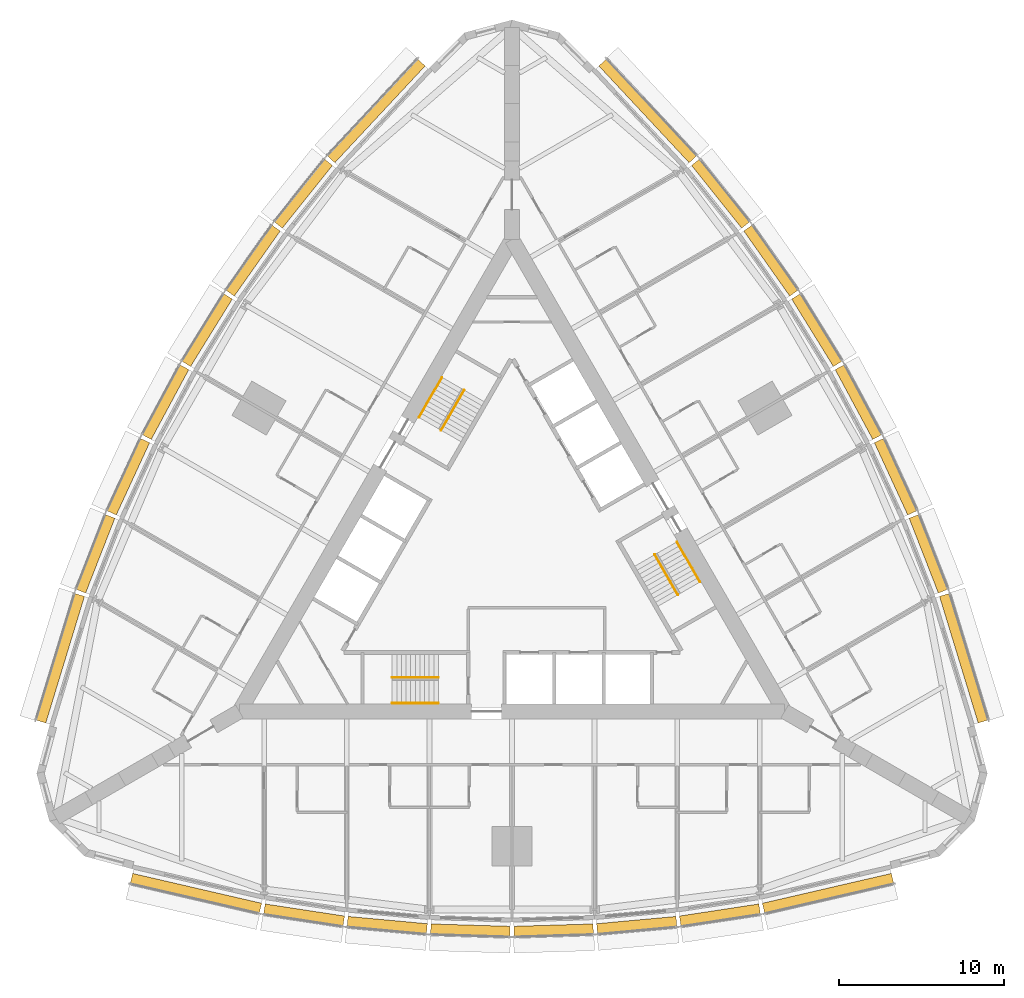
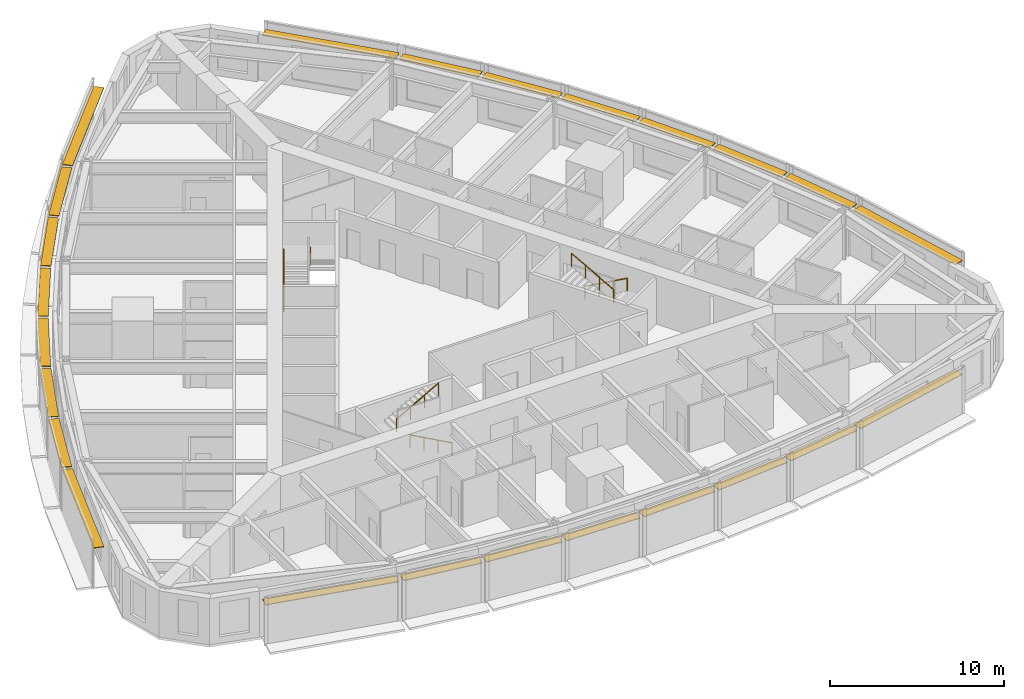
# One storey, part 14 of 14: 24 shading devices, 6 railings.
"""IFC4 building model written with IfcOpenShell, lengths in metres."""

import ifcopenshell
import ifcopenshell.guid

model = None  # the IFC model being written
_history = None  # IfcOwnerHistory: only IFC2X3 demands one
_inside = {}  # id of a spatial element -> (the spatial element, [elements in it])
_under = {}  # id of a project, library or spatial element -> (it, [spatial elements below it])
_declared = {}  # id of a project -> (the project, [libraries it declares])
_typed = {}  # id of a type object -> (the type object, [elements of that type])
_made_of = {}  # id of a material, layer set ... -> (it, [elements and type objects made of it])


def new_model(schema):
    """Start an empty IFC model of exactly this schema.

    Asked for "IFC4X3", IfcOpenShell would pick the latest addendum, in which some entities
    have other attributes; the version numbers below select the first issue.
    IFC2X3 requires an IfcOwnerHistory on every rooted entity: one is made here for all.
    """
    global model, _history
    if schema == "IFC4X3":
        model = ifcopenshell.file(schema_version=(4, 3, 0, 0))
    else:
        model = ifcopenshell.file(schema=schema)
    _inside.clear()
    _under.clear()
    _declared.clear()
    _typed.clear()
    _made_of.clear()
    _history = None
    if model.schema == "IFC2X3":
        org = make("IfcOrganization", Name="unknown")
        user = make(
            "IfcPersonAndOrganization",
            ThePerson=make("IfcPerson", FamilyName="unknown"),
            TheOrganization=org,
        )
        app = make(
            "IfcApplication",
            ApplicationDeveloper=org,
            Version="unknown",
            ApplicationFullName="unknown",
            ApplicationIdentifier="unknown",
        )
        _history = make(
            "IfcOwnerHistory",
            OwningUser=user,
            OwningApplication=app,
            ChangeAction="ADDED",
            CreationDate=0,
        )
    return model


def make(cls, **values):
    """One entity of the class cls with the attributes given. An attribute that is None is left unset."""
    return model.create_entity(
        cls, **{name: value for name, value in values.items() if value is not None}
    )


def rooted(cls, **values):
    """An entity with a GlobalId (a new one), such as an element, a storey or a relation."""
    return make(cls, GlobalId=ifcopenshell.guid.new(), OwnerHistory=_history, **values)


def si_unit(unit_type, name, prefix=None):
    """IfcSIUnit, for example si_unit("LENGTHUNIT", "METRE", prefix="MILLI")."""
    return make("IfcSIUnit", UnitType=unit_type, Prefix=prefix, Name=name)


def assignment(units):
    """IfcUnitAssignment: the units of a project."""
    return None if units is None else make("IfcUnitAssignment", Units=units)


def point(xyz):
    """IfcCartesianPoint."""
    return None if xyz is None else make("IfcCartesianPoint", Coordinates=xyz)


def direction(xyz):
    """IfcDirection."""
    return None if xyz is None else make("IfcDirection", DirectionRatios=xyz)


def frame(location, z_axis=None, x_axis=None):
    """IfcAxis2Placement3D, a coordinate frame: its origin and axes. An axis left out is left unset."""
    return make(
        "IfcAxis2Placement3D",
        Location=point(location),
        Axis=direction(z_axis),
        RefDirection=direction(x_axis),
    )


def frame_2d(location, x_axis=None):
    """IfcAxis2Placement2D, a coordinate frame in the plane: its origin and x axis."""
    return make(
        "IfcAxis2Placement2D", Location=point(location), RefDirection=direction(x_axis)
    )


def origin():
    """The frame at (0, 0, 0) with its axes left unset."""
    return frame((0.0, 0.0, 0.0))


def origin_2d():
    """The frame at (0, 0) in the plane with its x axis left unset."""
    return frame_2d((0.0, 0.0))


def place(relative_to, where):
    """IfcLocalPlacement: puts the frame where relative to a parent placement (None: the world)."""
    return make(
        "IfcLocalPlacement", PlacementRelTo=relative_to, RelativePlacement=where
    )


def context(
    kind, dimensions, precision=None, world=None, true_north=None, identifier=None
):
    """IfcGeometricRepresentationContext, for example the 3D "Model" context."""
    return make(
        "IfcGeometricRepresentationContext",
        ContextIdentifier=identifier,
        ContextType=kind,
        CoordinateSpaceDimension=dimensions,
        Precision=precision,
        WorldCoordinateSystem=world,
        TrueNorth=true_north,
    )


def subcontext(parent, identifier, kind, view, scale=None):
    """IfcGeometricRepresentationSubContext, for example "Body" below "Model"."""
    return make(
        "IfcGeometricRepresentationSubContext",
        ContextIdentifier=identifier,
        ContextType=kind,
        ParentContext=parent,
        TargetScale=scale,
        TargetView=view,
    )


def project(units=None, contexts=None):
    """IfcProject with its units and contexts."""
    return rooted(
        "IfcProject",
        Name="project",
        RepresentationContexts=contexts,
        UnitsInContext=assignment(units),
    )


def spatial(cls, under=None, at=None, **own):
    """A site, building, storey or space (cls), placed at a placement, below another one or the project."""
    s = rooted(cls, ObjectPlacement=at, **own)
    if under is not None:
        _under.setdefault(under.id(), (under, []))[1].append(s)
    return s


def profile(cls, at=None, kind="AREA", **sizes):
    """A parametric profile (cls). Its sizes go by their IFC names, for example OverallWidth=200.0."""
    return make(cls, ProfileType=kind, Position=at, **sizes)


def rectangle(**sizes):
    """IfcRectangleProfileDef."""
    return profile("IfcRectangleProfileDef", **sizes)


def circle(**sizes):
    """IfcCircleProfileDef."""
    return profile("IfcCircleProfileDef", **sizes)


def extrude(swept, where, along, depth):
    """IfcExtrudedAreaSolid: the profile swept, set in the frame where, extruded along a direction by depth."""
    return make(
        "IfcExtrudedAreaSolid",
        SweptArea=swept,
        Position=where,
        ExtrudedDirection=direction(along),
        Depth=depth,
    )


def shape(context_of_items, identifier, shape_type, items):
    """IfcShapeRepresentation: the items that make up one representation, for example the "Body"."""
    return make(
        "IfcShapeRepresentation",
        ContextOfItems=context_of_items,
        RepresentationIdentifier=identifier,
        RepresentationType=shape_type,
        Items=items,
    )


def material(Name=None, Category=None):
    """IfcMaterial."""
    return make("IfcMaterial", Name=Name, Category=Category)


def made_of(thing, what):
    """Note that an element or type object is made of a material, layer set ...; save() writes the relation."""
    if what is not None:
        _made_of.setdefault(what.id(), (what, []))[1].append(thing)
    return thing


def type_object(cls, material=None, **own):
    """A type object (cls), such as IfcWallType, which elements share."""
    return made_of(rooted(cls, **own), material)


def element(
    cls,
    number,
    at=None,
    inside=None,
    cuts=None,
    type_object=None,
    material=None,
    context=None,
    identifier="Body",
    shape_type=None,
    held_by="IfcProductDefinitionShape",
    body=None,
    shapes=None,
    **own,
):
    """One element of the class cls, such as IfcWall. Its Tag is "e" and its number.

    at: its placement. inside: the storey or other place that contains it. cuts: it is an
    opening in that element (IfcRelVoidsElement). A single representation is given by context,
    identifier, shape_type and body (its items); several are given by shapes. held_by: the class
    of the entity that holds the representations. save() writes the other relations.
    """
    e = rooted(cls, Tag="e%d" % number, ObjectPlacement=at, **own)
    if body is not None:
        shapes = [shape(context, identifier, shape_type, body)]
    if shapes is not None:
        e.Representation = make(held_by, Representations=shapes)
    if inside is not None:
        _inside.setdefault(inside.id(), (inside, []))[1].append(e)
    if cuts is not None:
        rooted(
            "IfcRelVoidsElement", RelatingBuildingElement=cuts, RelatedOpeningElement=e
        )
    if type_object is not None:
        _typed.setdefault(type_object.id(), (type_object, []))[1].append(e)
    return made_of(e, material)


def aggregate(whole, parts):
    """IfcRelAggregates: a whole, such as a stair, and the parts it consists of."""
    return rooted("IfcRelAggregates", RelatingObject=whole, RelatedObjects=parts)


def save(model, path):
    """Write the relations noted so far, then the file.

    IfcRelAggregates (storeys below a building ...), IfcRelContainedInSpatialStructure (elements
    in a storey), IfcRelDefinesByType, IfcRelAssociatesMaterial and IfcRelDeclares: one each for
    every whole, place, type object, material and project.
    """
    for whole, parts in _under.values():
        aggregate(whole, parts)
    for where, things in _inside.values():
        rooted(
            "IfcRelContainedInSpatialStructure",
            RelatedElements=things,
            RelatingStructure=where,
        )
    for kind, things in _typed.values():
        rooted("IfcRelDefinesByType", RelatedObjects=things, RelatingType=kind)
    for what, things in _made_of.values():
        rooted("IfcRelAssociatesMaterial", RelatedObjects=things, RelatingMaterial=what)
    for by, libraries in _declared.values():
        rooted("IfcRelDeclares", RelatingContext=by, RelatedDefinitions=libraries)
    model.write(path)


model = new_model("IFC4")

# Units and contexts
model_context = context("Model", 3, precision=1e-05, world=origin(), true_north=direction((0.0, 1.0)))
body_context = subcontext(model_context, "Body", "Model", "MODEL_VIEW")
ifc_project = project(units=[si_unit("LENGTHUNIT", "METRE"), si_unit("AREAUNIT", "SQUARE_METRE"), si_unit("VOLUMEUNIT", "CUBIC_METRE"), si_unit("PLANEANGLEUNIT", "RADIAN"), si_unit("MASSUNIT", "GRAM", prefix="KILO")], contexts=[model_context])

# Site, building, storey
site_placement = place(None, origin())
site = spatial("IfcSite", under=ifc_project, at=site_placement, CompositionType="ELEMENT")
building_placement = place(site_placement, origin())
building = spatial("IfcBuilding", under=site, at=building_placement, Name="Trikona Tower", CompositionType="ELEMENT")
storey_placement = place(building_placement, frame((0.0, 0.0, 35.300048828125)))
storey = spatial("IfcBuildingStorey", under=building, at=storey_placement, Name="L07", CompositionType="ELEMENT", Elevation=35.300048828125)

# Shading devices
ifc_material_1 = material(Name="Aluminium louvre blade, pale anodised", Category="aluminium")
shading_device_type = type_object("IfcShadingDeviceType", Name="Cavity louvre 600", PredefinedType="USERDEFINED", material=ifc_material_1)
shading_device_1_placement = place(storey_placement, frame((-19.126220703125, -20.5234375, 2.77490234375), z_axis=(0.0, 0.0, 1.0), x_axis=(0.974277718622, -0.225350675607, 0.0)))
element("IfcShadingDevice", 1, at=shading_device_1_placement, inside=storey, type_object=shading_device_type, Name="Cavity louvre L07-00", ObjectType="LOUVRE", PredefinedType="USERDEFINED", context=body_context, shape_type="SweptSolid", body=[
    extrude(rectangle(XDim=8.01123046875, YDim=0.60009765625, at=origin_2d()), origin(), (0.0, 0.0, 1.0), 0.050048828125),
])
shading_device_2_placement = place(storey_placement, frame((-12.584228515625, -21.837158203125, 2.77490234375), z_axis=(0.0, 0.0, 1.0), x_axis=(0.988617896768, -0.150448177754, 0.0)))
element("IfcShadingDevice", 2, at=shading_device_2_placement, inside=storey, type_object=shading_device_type, Name="Cavity louvre L07-01", ObjectType="LOUVRE", PredefinedType="USERDEFINED", context=body_context, shape_type="SweptSolid", body=[
    extrude(rectangle(XDim=4.857666015625, YDim=0.60009765625, at=origin_2d()), origin(), (0.0, 0.0, 1.0), 0.050048828125),
])
shading_device_3_placement = place(storey_placement, frame((-7.55078125, -22.44970703125, 2.77490234375), z_axis=(0.0, 0.0, 1.0), x_axis=(0.995858098326, -0.090921108655, 0.0)))
element("IfcShadingDevice", 3, at=shading_device_3_placement, inside=storey, type_object=shading_device_type, Name="Cavity louvre L07-02", ObjectType="LOUVRE", PredefinedType="USERDEFINED", context=body_context, shape_type="SweptSolid", body=[
    extrude(rectangle(XDim=4.82080078125, YDim=0.60009765625, at=origin_2d()), origin(), (0.0, 0.0, 1.0), 0.050048828125),
])
for number, where, z_axis, x_axis, name in (
    (4, (-2.51708984375, -22.756103515625, 2.77490234375), (0.0, 0.0, 1.0), (0.999537048889, -0.030425119525, 0.0), "Cavity louvre L07-03"),
    (5, (2.51708984375, -22.756103515625, 2.77490234375), (0.0, 0.0, 1.0), (0.999537048889, 0.030425119525, 0.0), "Cavity louvre L07-04"),
):
    element("IfcShadingDevice", number, at=place(storey_placement, frame(where, z_axis=z_axis, x_axis=x_axis)), inside=storey, type_object=shading_device_type, Name=name, ObjectType="LOUVRE", PredefinedType="USERDEFINED", context=body_context, shape_type="SweptSolid", body=[
        extrude(rectangle(XDim=4.80224609375, YDim=0.60009765625, at=origin_2d()), origin(), (0.0, 0.0, 1.0), 0.050048828125),
    ])
shading_device_4_placement = place(storey_placement, frame((7.55078125, -22.44970703125, 2.77490234375), z_axis=(0.0, 0.0, 1.0), x_axis=(0.995858098326, 0.090921108655, 0.0)))
element("IfcShadingDevice", 6, at=shading_device_4_placement, inside=storey, type_object=shading_device_type, Name="Cavity louvre L07-05", ObjectType="LOUVRE", PredefinedType="USERDEFINED", context=body_context, shape_type="SweptSolid", body=[
    extrude(rectangle(XDim=4.82080078125, YDim=0.60009765625, at=origin_2d()), origin(), (0.0, 0.0, 1.0), 0.050048828125),
])
shading_device_5_placement = place(storey_placement, frame((12.584228515625, -21.837158203125, 2.77490234375), z_axis=(0.0, 0.0, 1.0), x_axis=(0.988617896768, 0.150448177754, 0.0)))
element("IfcShadingDevice", 7, at=shading_device_5_placement, inside=storey, type_object=shading_device_type, Name="Cavity louvre L07-06", ObjectType="LOUVRE", PredefinedType="USERDEFINED", context=body_context, shape_type="SweptSolid", body=[
    extrude(rectangle(XDim=4.857666015625, YDim=0.60009765625, at=origin_2d()), origin(), (0.0, 0.0, 1.0), 0.050048828125),
])
for number, where, z_axis, x_axis, name in (
    (8, (19.126220703125, -20.5234375, 2.77490234375), (0.0, 0.0, 1.0), (0.974277718622, 0.225350675607, 0.0), "Cavity louvre L07-07"),
    (9, (27.3369140625, -6.302001953125, 2.77490234375), (0.0, 0.0, 1.0), (-0.291979449475, 0.956424592471, 0.0), "Cavity louvre L07-12"),
):
    element("IfcShadingDevice", number, at=place(storey_placement, frame(where, z_axis=z_axis, x_axis=x_axis)), inside=storey, type_object=shading_device_type, Name=name, ObjectType="LOUVRE", PredefinedType="USERDEFINED", context=body_context, shape_type="SweptSolid", body=[
        extrude(rectangle(XDim=8.01123046875, YDim=0.60009765625, at=origin_2d()), origin(), (0.0, 0.0, 1.0), 0.050048828125),
    ])
shading_device_6_placement = place(storey_placement, frame((25.20361328125, 0.020263671875, 2.77490234375), z_axis=(0.0, 0.0, 1.0), x_axis=(-0.364008876551, 0.931395478726, 0.0)))
element("IfcShadingDevice", 10, at=shading_device_6_placement, inside=storey, type_object=shading_device_type, Name="Cavity louvre L07-13", ObjectType="LOUVRE", PredefinedType="USERDEFINED", context=body_context, shape_type="SweptSolid", body=[
    extrude(rectangle(XDim=4.857666015625, YDim=0.60009765625, at=origin_2d()), origin(), (0.0, 0.0, 1.0), 0.050048828125),
])
shading_device_7_placement = place(storey_placement, frame((23.217529296875, 4.685546875, 2.77490234375), z_axis=(0.0, 0.0, 1.0), x_axis=(-0.41919381307, 0.907896771161, 0.0)))
element("IfcShadingDevice", 11, at=shading_device_7_placement, inside=storey, type_object=shading_device_type, Name="Cavity louvre L07-14", ObjectType="LOUVRE", PredefinedType="USERDEFINED", context=body_context, shape_type="SweptSolid", body=[
    extrude(rectangle(XDim=4.82080078125, YDim=0.60009765625, at=origin_2d()), origin(), (0.0, 0.0, 1.0), 0.050048828125),
])
for number, where, z_axis, x_axis, name in (
    (12, (20.966064453125, 9.1982421875, 2.77490234375), (0.0, 0.0, 1.0), (-0.473422672721, 0.880835383572, 0.0), "Cavity louvre L07-15"),
    (13, (18.448974609375, 13.557861328125, 2.77490234375), (0.0, 0.0, 1.0), (-0.526118935114, 0.85041099835, 0.0), "Cavity louvre L07-16"),
):
    element("IfcShadingDevice", number, at=place(storey_placement, frame(where, z_axis=z_axis, x_axis=x_axis)), inside=storey, type_object=shading_device_type, Name=name, ObjectType="LOUVRE", PredefinedType="USERDEFINED", context=body_context, shape_type="SweptSolid", body=[
        extrude(rectangle(XDim=4.80224609375, YDim=0.60009765625, at=origin_2d()), origin(), (0.0, 0.0, 1.0), 0.050048828125),
    ])
shading_device_8_placement = place(storey_placement, frame((15.666748046875, 17.76416015625, 2.77490234375), z_axis=(0.0, 0.0, 1.0), x_axis=(-0.576661909499, 0.816982889743, 0.0)))
element("IfcShadingDevice", 14, at=shading_device_8_placement, inside=storey, type_object=shading_device_type, Name="Cavity louvre L07-17", ObjectType="LOUVRE", PredefinedType="USERDEFINED", context=body_context, shape_type="SweptSolid", body=[
    extrude(rectangle(XDim=4.82080078125, YDim=0.60009765625, at=origin_2d()), origin(), (0.0, 0.0, 1.0), 0.050048828125),
])
shading_device_9_placement = place(storey_placement, frame((12.619384765625, 21.81689453125, 2.77490234375), z_axis=(0.0, 0.0, 1.0), x_axis=(-0.624603618277, 0.780941944087, 0.0)))
element("IfcShadingDevice", 15, at=shading_device_9_placement, inside=storey, type_object=shading_device_type, Name="Cavity louvre L07-18", ObjectType="LOUVRE", PredefinedType="USERDEFINED", context=body_context, shape_type="SweptSolid", body=[
    extrude(rectangle(XDim=4.857666015625, YDim=0.60009765625, at=origin_2d()), origin(), (0.0, 0.0, 1.0), 0.050048828125),
])
for number, where, z_axis, x_axis, name in (
    (16, (8.210693359375, 26.825439453125, 2.77490234375), (0.0, 0.0, 1.0), (-0.682298269147, 0.731073916864, 0.0), "Cavity louvre L07-19"),
    (17, (-8.210693359375, 26.825439453125, 2.77490234375), (0.0, 0.0, 1.0), (-0.682298269147, -0.731073916864, 0.0), "Cavity louvre L07-24"),
):
    element("IfcShadingDevice", number, at=place(storey_placement, frame(where, z_axis=z_axis, x_axis=x_axis)), inside=storey, type_object=shading_device_type, Name=name, ObjectType="LOUVRE", PredefinedType="USERDEFINED", context=body_context, shape_type="SweptSolid", body=[
        extrude(rectangle(XDim=8.01123046875, YDim=0.60009765625, at=origin_2d()), origin(), (0.0, 0.0, 1.0), 0.050048828125),
    ])
shading_device_10_placement = place(storey_placement, frame((-12.619384765625, 21.81689453125, 2.77490234375), z_axis=(0.0, 0.0, 1.0), x_axis=(-0.624603618277, -0.780941944087, 0.0)))
element("IfcShadingDevice", 18, at=shading_device_10_placement, inside=storey, type_object=shading_device_type, Name="Cavity louvre L07-25", ObjectType="LOUVRE", PredefinedType="USERDEFINED", context=body_context, shape_type="SweptSolid", body=[
    extrude(rectangle(XDim=4.857666015625, YDim=0.60009765625, at=origin_2d()), origin(), (0.0, 0.0, 1.0), 0.050048828125),
])
shading_device_11_placement = place(storey_placement, frame((-15.666748046875, 17.76416015625, 2.77490234375), z_axis=(0.0, 0.0, 1.0), x_axis=(-0.576661909499, -0.816982889743, 0.0)))
element("IfcShadingDevice", 19, at=shading_device_11_placement, inside=storey, type_object=shading_device_type, Name="Cavity louvre L07-26", ObjectType="LOUVRE", PredefinedType="USERDEFINED", context=body_context, shape_type="SweptSolid", body=[
    extrude(rectangle(XDim=4.82080078125, YDim=0.60009765625, at=origin_2d()), origin(), (0.0, 0.0, 1.0), 0.050048828125),
])
for number, where, z_axis, x_axis, name in (
    (20, (-18.448974609375, 13.557861328125, 2.77490234375), (0.0, 0.0, 1.0), (-0.526118935114, -0.85041099835, 0.0), "Cavity louvre L07-27"),
    (21, (-20.966064453125, 9.1982421875, 2.77490234375), (0.0, 0.0, 1.0), (-0.473422672721, -0.880835383572, 0.0), "Cavity louvre L07-28"),
):
    element("IfcShadingDevice", number, at=place(storey_placement, frame(where, z_axis=z_axis, x_axis=x_axis)), inside=storey, type_object=shading_device_type, Name=name, ObjectType="LOUVRE", PredefinedType="USERDEFINED", context=body_context, shape_type="SweptSolid", body=[
        extrude(rectangle(XDim=4.80224609375, YDim=0.60009765625, at=origin_2d()), origin(), (0.0, 0.0, 1.0), 0.050048828125),
    ])
shading_device_12_placement = place(storey_placement, frame((-23.217529296875, 4.685546875, 2.77490234375), z_axis=(0.0, 0.0, 1.0), x_axis=(-0.41919381307, -0.907896771161, 0.0)))
element("IfcShadingDevice", 22, at=shading_device_12_placement, inside=storey, type_object=shading_device_type, Name="Cavity louvre L07-29", ObjectType="LOUVRE", PredefinedType="USERDEFINED", context=body_context, shape_type="SweptSolid", body=[
    extrude(rectangle(XDim=4.82080078125, YDim=0.60009765625, at=origin_2d()), origin(), (0.0, 0.0, 1.0), 0.050048828125),
])
shading_device_13_placement = place(storey_placement, frame((-25.20361328125, 0.020263671875, 2.77490234375), z_axis=(0.0, 0.0, 1.0), x_axis=(-0.364008876551, -0.931395478726, 0.0)))
element("IfcShadingDevice", 23, at=shading_device_13_placement, inside=storey, type_object=shading_device_type, Name="Cavity louvre L07-30", ObjectType="LOUVRE", PredefinedType="USERDEFINED", context=body_context, shape_type="SweptSolid", body=[
    extrude(rectangle(XDim=4.857666015625, YDim=0.60009765625, at=origin_2d()), origin(), (0.0, 0.0, 1.0), 0.050048828125),
])
shading_device_14_placement = place(storey_placement, frame((-27.3369140625, -6.302001953125, 2.77490234375), z_axis=(0.0, 0.0, 1.0), x_axis=(-0.291979449475, -0.956424592471, 0.0)))
element("IfcShadingDevice", 24, at=shading_device_14_placement, inside=storey, type_object=shading_device_type, Name="Cavity louvre L07-31", ObjectType="LOUVRE", PredefinedType="USERDEFINED", context=body_context, shape_type="SweptSolid", body=[
    extrude(rectangle(XDim=8.01123046875, YDim=0.60009765625, at=origin_2d()), origin(), (0.0, 0.0, 1.0), 0.050048828125),
])

# Railings
ifc_material_2 = material(Name="Stainless steel handrail", Category="steel")
railing_type = type_object("IfcRailingType", Name="Stair handrail", PredefinedType="HANDRAIL", material=ifc_material_2)
railing_1_placement = place(storey_placement, frame((-4.449951171875, -9.016357421875, 0.154541015625)))
element("IfcRailing", 25, at=railing_1_placement, inside=storey, type_object=railing_type, Name="Stair handrail A L07 1", PredefinedType="HANDRAIL", context=body_context, shape_type="SweptSolid", body=[
    extrude(circle(Radius=0.02392578125, at=origin_2d()), frame((0.0, 0.0, 0.8759765625), z_axis=(-0.875504190374, 0.0, 0.483210526207), x_axis=(0.0, -1.0, 0.0)), (0.0, 0.0, 1.0), 3.1982421875),
    extrude(circle(Radius=0.02099609375, at=origin_2d()), origin(), (0.0, 0.0, 1.0), 0.851806640625),
    extrude(circle(Radius=0.02099609375, at=origin_2d()), frame((-0.933349609375, 0.0, 0.51513671875)), (0.0, 0.0, 1.0), 0.851806640625),
    extrude(circle(Radius=0.02099609375, at=origin_2d()), frame((-1.86669921875, 0.0, 1.0302734375)), (0.0, 0.0, 1.0), 0.851806640625),
    extrude(circle(Radius=0.02099609375, at=origin_2d()), frame((-2.800048828125, 0.0, 1.54541015625)), (0.0, 0.0, 1.0), 0.851806640625),
])
railing_2_placement = place(storey_placement, frame((-7.25, -7.46630859375, 1.8544921875)))
element("IfcRailing", 26, at=railing_2_placement, inside=storey, type_object=railing_type, Name="Stair handrail A L07 2", PredefinedType="HANDRAIL", context=body_context, shape_type="SweptSolid", body=[
    extrude(circle(Radius=0.02392578125, at=origin_2d()), frame((0.0, 0.0, 0.8759765625), z_axis=(0.875504190374, 0.0, 0.483210526207), x_axis=(0.0, 1.0, 0.0)), (0.0, 0.0, 1.0), 3.1982421875),
    extrude(circle(Radius=0.02099609375, at=origin_2d()), origin(), (0.0, 0.0, 1.0), 0.851806640625),
    extrude(circle(Radius=0.02099609375, at=origin_2d()), frame((0.933349609375, 0.0, 0.51513671875)), (0.0, 0.0, 1.0), 0.851806640625),
    extrude(circle(Radius=0.02099609375, at=origin_2d()), frame((1.86669921875, 0.0, 1.0302734375)), (0.0, 0.0, 1.0), 0.851806640625),
    extrude(circle(Radius=0.02099609375, at=origin_2d()), frame((2.800048828125, 0.0, 1.54541015625)), (0.0, 0.0, 1.0), 0.851806640625),
])
railing_3_placement = place(storey_placement, frame((9.9833984375, 0.740966796875, 0.154541015625)))
element("IfcRailing", 27, at=railing_3_placement, inside=storey, type_object=railing_type, Name="Stair handrail B L07 1", PredefinedType="HANDRAIL", context=body_context, shape_type="SweptSolid", body=[
    extrude(circle(Radius=0.02392578125, at=origin_2d()), frame((0.0, 0.0, 0.8759765625), z_axis=(0.437707188162, -0.758239536103, 0.483203087036), x_axis=(0.866056369097, 0.49994636267, 0.0)), (0.0, 0.0, 1.0), 3.1982421875),
    extrude(circle(Radius=0.02099609375, at=origin_2d()), origin(), (0.0, 0.0, 1.0), 0.851806640625),
    extrude(circle(Radius=0.02099609375, at=origin_2d()), frame((0.466552734375, -0.808349609375, 0.51513671875)), (0.0, 0.0, 1.0), 0.851806640625),
    extrude(circle(Radius=0.02099609375, at=origin_2d()), frame((0.933349609375, -1.61669921875, 1.0302734375)), (0.0, 0.0, 1.0), 0.851806640625),
    extrude(circle(Radius=0.02099609375, at=origin_2d()), frame((1.39990234375, -2.425048828125, 1.54541015625)), (0.0, 0.0, 1.0), 0.851806640625),
])
railing_4_placement = place(storey_placement, frame((10.041015625, -2.458984375, 1.8544921875)))
element("IfcRailing", 28, at=railing_4_placement, inside=storey, type_object=railing_type, Name="Stair handrail B L07 2", PredefinedType="HANDRAIL", context=body_context, shape_type="SweptSolid", body=[
    extrude(circle(Radius=0.02392578125, at=origin_2d()), frame((0.0, 0.0, 0.8759765625), z_axis=(-0.437707188162, 0.758239536103, 0.483203087036), x_axis=(-0.866056369097, -0.49994636267, 0.0)), (0.0, 0.0, 1.0), 3.1982421875),
    extrude(circle(Radius=0.02099609375, at=origin_2d()), origin(), (0.0, 0.0, 1.0), 0.851806640625),
    extrude(circle(Radius=0.02099609375, at=origin_2d()), frame((-0.466552734375, 0.808349609375, 0.51513671875)), (0.0, 0.0, 1.0), 0.851806640625),
    extrude(circle(Radius=0.02099609375, at=origin_2d()), frame((-0.933349609375, 1.61669921875, 1.0302734375)), (0.0, 0.0, 1.0), 0.851806640625),
    extrude(circle(Radius=0.02099609375, at=origin_2d()), frame((-1.39990234375, 2.425048828125, 1.54541015625)), (0.0, 0.0, 1.0), 0.851806640625),
])
railing_5_placement = place(storey_placement, frame((-5.63330078125, 8.275390625, 0.154541015625)))
element("IfcRailing", 29, at=railing_5_placement, inside=storey, type_object=railing_type, Name="Stair handrail C L07 1", PredefinedType="HANDRAIL", context=body_context, shape_type="SweptSolid", body=[
    extrude(circle(Radius=0.02392578125, at=origin_2d()), frame((0.0, 0.0, 0.8759765625), z_axis=(0.437732523806, 0.758207085183, 0.483231056102), x_axis=(-0.866034573852, 0.49998411664, 0.0)), (0.0, 0.0, 1.0), 3.197998046875),
    extrude(circle(Radius=0.02099609375, at=origin_2d()), origin(), (0.0, 0.0, 1.0), 0.851806640625),
    extrude(circle(Radius=0.02099609375, at=origin_2d()), frame((0.466552734375, 0.808349609375, 0.51513671875)), (0.0, 0.0, 1.0), 0.851806640625),
    extrude(circle(Radius=0.02099609375, at=origin_2d()), frame((0.933349609375, 1.616455078125, 1.0302734375)), (0.0, 0.0, 1.0), 0.851806640625),
    extrude(circle(Radius=0.02099609375, at=origin_2d()), frame((1.39990234375, 2.4248046875, 1.54541015625)), (0.0, 0.0, 1.0), 0.851806640625),
])
railing_6_placement = place(storey_placement, frame((-2.89111328125, 9.92529296875, 1.8544921875)))
element("IfcRailing", 30, at=railing_6_placement, inside=storey, type_object=railing_type, Name="Stair handrail C L07 2", PredefinedType="HANDRAIL", context=body_context, shape_type="SweptSolid", body=[
    extrude(circle(Radius=0.02392578125, at=origin_2d()), frame((0.0, 0.0, 0.8759765625), z_axis=(-0.437707188162, -0.758239536103, 0.483203087036), x_axis=(0.866056369097, -0.49994636267, 0.0)), (0.0, 0.0, 1.0), 3.1982421875),
    extrude(circle(Radius=0.02099609375, at=origin_2d()), origin(), (0.0, 0.0, 1.0), 0.851806640625),
    extrude(circle(Radius=0.02099609375, at=origin_2d()), frame((-0.466552734375, -0.808349609375, 0.51513671875)), (0.0, 0.0, 1.0), 0.851806640625),
    extrude(circle(Radius=0.02099609375, at=origin_2d()), frame((-0.933349609375, -1.61669921875, 1.0302734375)), (0.0, 0.0, 1.0), 0.851806640625),
    extrude(circle(Radius=0.02099609375, at=origin_2d()), frame((-1.39990234375, -2.425048828125, 1.54541015625)), (0.0, 0.0, 1.0), 0.851806640625),
])

save(model, "model.ifc")
